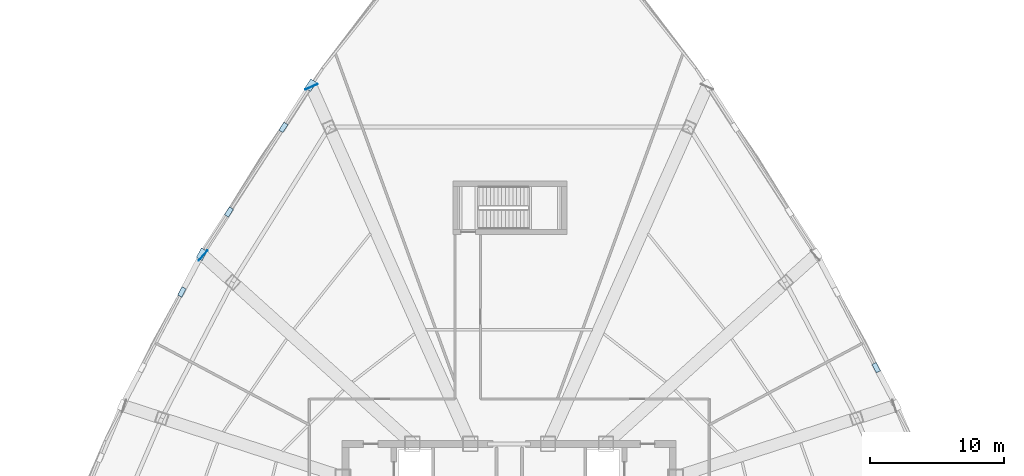
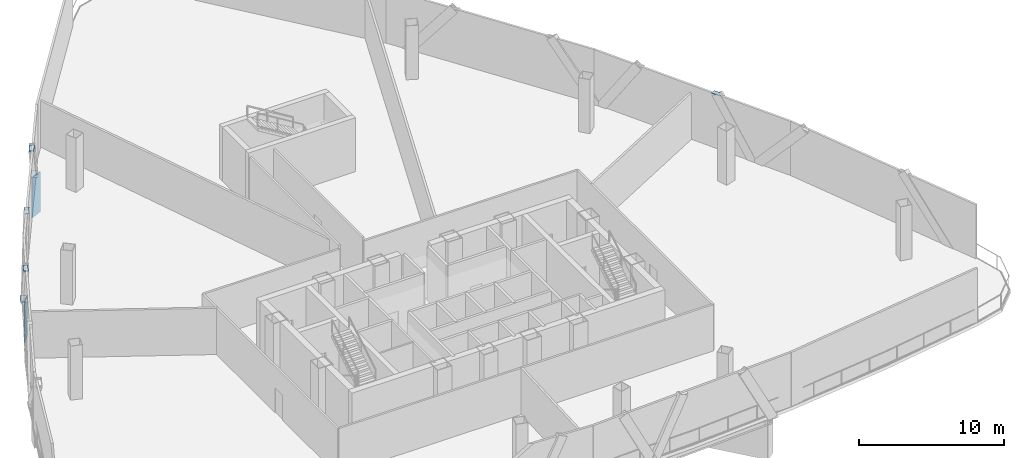
# One storey, part 4 of 14: 8 plates.
"""IFC4 building model written with IfcOpenShell, lengths in metres."""

import ifcopenshell
import ifcopenshell.guid

model = None  # the IFC model being written
_history = None  # IfcOwnerHistory: only IFC2X3 demands one
_inside = {}  # id of a spatial element -> (the spatial element, [elements in it])
_under = {}  # id of a project, library or spatial element -> (it, [spatial elements below it])
_declared = {}  # id of a project -> (the project, [libraries it declares])
_typed = {}  # id of a type object -> (the type object, [elements of that type])
_made_of = {}  # id of a material, layer set ... -> (it, [elements and type objects made of it])


def new_model(schema):
    """Start an empty IFC model of exactly this schema.

    Asked for "IFC4X3", IfcOpenShell would pick the latest addendum, in which some entities
    have other attributes; the version numbers below select the first issue.
    IFC2X3 requires an IfcOwnerHistory on every rooted entity: one is made here for all.
    """
    global model, _history
    if schema == "IFC4X3":
        model = ifcopenshell.file(schema_version=(4, 3, 0, 0))
    else:
        model = ifcopenshell.file(schema=schema)
    _inside.clear()
    _under.clear()
    _declared.clear()
    _typed.clear()
    _made_of.clear()
    _history = None
    if model.schema == "IFC2X3":
        org = make("IfcOrganization", Name="unknown")
        user = make(
            "IfcPersonAndOrganization",
            ThePerson=make("IfcPerson", FamilyName="unknown"),
            TheOrganization=org,
        )
        app = make(
            "IfcApplication",
            ApplicationDeveloper=org,
            Version="unknown",
            ApplicationFullName="unknown",
            ApplicationIdentifier="unknown",
        )
        _history = make(
            "IfcOwnerHistory",
            OwningUser=user,
            OwningApplication=app,
            ChangeAction="ADDED",
            CreationDate=0,
        )
    return model


def make(cls, **values):
    """One entity of the class cls with the attributes given. An attribute that is None is left unset."""
    return model.create_entity(
        cls, **{name: value for name, value in values.items() if value is not None}
    )


def rooted(cls, **values):
    """An entity with a GlobalId (a new one), such as an element, a storey or a relation."""
    return make(cls, GlobalId=ifcopenshell.guid.new(), OwnerHistory=_history, **values)


def si_unit(unit_type, name, prefix=None):
    """IfcSIUnit, for example si_unit("LENGTHUNIT", "METRE", prefix="MILLI")."""
    return make("IfcSIUnit", UnitType=unit_type, Prefix=prefix, Name=name)


def assignment(units):
    """IfcUnitAssignment: the units of a project."""
    return None if units is None else make("IfcUnitAssignment", Units=units)


def point(xyz):
    """IfcCartesianPoint."""
    return None if xyz is None else make("IfcCartesianPoint", Coordinates=xyz)


def direction(xyz):
    """IfcDirection."""
    return None if xyz is None else make("IfcDirection", DirectionRatios=xyz)


def frame(location, z_axis=None, x_axis=None):
    """IfcAxis2Placement3D, a coordinate frame: its origin and axes. An axis left out is left unset."""
    return make(
        "IfcAxis2Placement3D",
        Location=point(location),
        Axis=direction(z_axis),
        RefDirection=direction(x_axis),
    )


def frame_2d(location, x_axis=None):
    """IfcAxis2Placement2D, a coordinate frame in the plane: its origin and x axis."""
    return make(
        "IfcAxis2Placement2D", Location=point(location), RefDirection=direction(x_axis)
    )


def origin():
    """The frame at (0, 0, 0) with its axes left unset."""
    return frame((0.0, 0.0, 0.0))


def origin_2d():
    """The frame at (0, 0) in the plane with its x axis left unset."""
    return frame_2d((0.0, 0.0))


def place(relative_to, where):
    """IfcLocalPlacement: puts the frame where relative to a parent placement (None: the world)."""
    return make(
        "IfcLocalPlacement", PlacementRelTo=relative_to, RelativePlacement=where
    )


def context(
    kind, dimensions, precision=None, world=None, true_north=None, identifier=None
):
    """IfcGeometricRepresentationContext, for example the 3D "Model" context."""
    return make(
        "IfcGeometricRepresentationContext",
        ContextIdentifier=identifier,
        ContextType=kind,
        CoordinateSpaceDimension=dimensions,
        Precision=precision,
        WorldCoordinateSystem=world,
        TrueNorth=true_north,
    )


def subcontext(parent, identifier, kind, view, scale=None):
    """IfcGeometricRepresentationSubContext, for example "Body" below "Model"."""
    return make(
        "IfcGeometricRepresentationSubContext",
        ContextIdentifier=identifier,
        ContextType=kind,
        ParentContext=parent,
        TargetScale=scale,
        TargetView=view,
    )


def project(units=None, contexts=None):
    """IfcProject with its units and contexts."""
    return rooted(
        "IfcProject",
        Name="project",
        RepresentationContexts=contexts,
        UnitsInContext=assignment(units),
    )


def spatial(cls, under=None, at=None, **own):
    """A site, building, storey or space (cls), placed at a placement, below another one or the project."""
    s = rooted(cls, ObjectPlacement=at, **own)
    if under is not None:
        _under.setdefault(under.id(), (under, []))[1].append(s)
    return s


def profile(cls, at=None, kind="AREA", **sizes):
    """A parametric profile (cls). Its sizes go by their IFC names, for example OverallWidth=200.0."""
    return make(cls, ProfileType=kind, Position=at, **sizes)


def rectangle(**sizes):
    """IfcRectangleProfileDef."""
    return profile("IfcRectangleProfileDef", **sizes)


def extrude(swept, where, along, depth):
    """IfcExtrudedAreaSolid: the profile swept, set in the frame where, extruded along a direction by depth."""
    return make(
        "IfcExtrudedAreaSolid",
        SweptArea=swept,
        Position=where,
        ExtrudedDirection=direction(along),
        Depth=depth,
    )


def shape(context_of_items, identifier, shape_type, items):
    """IfcShapeRepresentation: the items that make up one representation, for example the "Body"."""
    return make(
        "IfcShapeRepresentation",
        ContextOfItems=context_of_items,
        RepresentationIdentifier=identifier,
        RepresentationType=shape_type,
        Items=items,
    )


def source(mapping_origin, context_of_items, identifier, shape_type, items):
    """IfcRepresentationMap: a shape defined once, which mapped items show again and again."""
    return make(
        "IfcRepresentationMap",
        MappingOrigin=mapping_origin,
        MappedRepresentation=shape(context_of_items, identifier, shape_type, items),
    )


def transform(
    local_origin,
    x_axis=None,
    y_axis=None,
    z_axis=None,
    scale=None,
    scale2=None,
    scale3=None,
    uniform=True,
):
    """IfcCartesianTransformationOperator3D, or its non-uniform kind. x_axis, y_axis, z_axis: its Axis1, 2, 3."""
    if uniform:
        return make(
            "IfcCartesianTransformationOperator3D",
            Axis1=direction(x_axis),
            Axis2=direction(y_axis),
            LocalOrigin=point(local_origin),
            Scale=scale,
            Axis3=direction(z_axis),
        )
    return make(
        "IfcCartesianTransformationOperator3DnonUniform",
        Axis1=direction(x_axis),
        Axis2=direction(y_axis),
        LocalOrigin=point(local_origin),
        Scale=scale,
        Axis3=direction(z_axis),
        Scale2=scale2,
        Scale3=scale3,
    )


def mapped(mapping_source, mapping_target):
    """IfcMappedItem: shows the shape of a source again, moved by a transform."""
    return make(
        "IfcMappedItem", MappingSource=mapping_source, MappingTarget=mapping_target
    )


def material(Name=None, Category=None):
    """IfcMaterial."""
    return make("IfcMaterial", Name=Name, Category=Category)


def layer(
    of_material, thickness, ventilated=None, Name=None, Category=None, Priority=None
):
    """IfcMaterialLayer: one layer of a wall or slab, of a material (None: an air gap)."""
    return make(
        "IfcMaterialLayer",
        Material=of_material,
        LayerThickness=thickness,
        IsVentilated=ventilated,
        Name=Name,
        Category=Category,
        Priority=Priority,
    )


def layer_set(layers, Name=None):
    """IfcMaterialLayerSet."""
    return make("IfcMaterialLayerSet", MaterialLayers=layers, LayerSetName=Name)


def made_of(thing, what):
    """Note that an element or type object is made of a material, layer set ...; save() writes the relation."""
    if what is not None:
        _made_of.setdefault(what.id(), (what, []))[1].append(thing)
    return thing


def type_object(cls, material=None, **own):
    """A type object (cls), such as IfcWallType, which elements share."""
    return made_of(rooted(cls, **own), material)


def element(
    cls,
    number,
    at=None,
    inside=None,
    cuts=None,
    type_object=None,
    material=None,
    context=None,
    identifier="Body",
    shape_type=None,
    held_by="IfcProductDefinitionShape",
    body=None,
    shapes=None,
    **own,
):
    """One element of the class cls, such as IfcWall. Its Tag is "e" and its number.

    at: its placement. inside: the storey or other place that contains it. cuts: it is an
    opening in that element (IfcRelVoidsElement). A single representation is given by context,
    identifier, shape_type and body (its items); several are given by shapes. held_by: the class
    of the entity that holds the representations. save() writes the other relations.
    """
    e = rooted(cls, Tag="e%d" % number, ObjectPlacement=at, **own)
    if body is not None:
        shapes = [shape(context, identifier, shape_type, body)]
    if shapes is not None:
        e.Representation = make(held_by, Representations=shapes)
    if inside is not None:
        _inside.setdefault(inside.id(), (inside, []))[1].append(e)
    if cuts is not None:
        rooted(
            "IfcRelVoidsElement", RelatingBuildingElement=cuts, RelatedOpeningElement=e
        )
    if type_object is not None:
        _typed.setdefault(type_object.id(), (type_object, []))[1].append(e)
    return made_of(e, material)


def aggregate(whole, parts):
    """IfcRelAggregates: a whole, such as a stair, and the parts it consists of."""
    return rooted("IfcRelAggregates", RelatingObject=whole, RelatedObjects=parts)


def save(model, path):
    """Write the relations noted so far, then the file.

    IfcRelAggregates (storeys below a building ...), IfcRelContainedInSpatialStructure (elements
    in a storey), IfcRelDefinesByType, IfcRelAssociatesMaterial and IfcRelDeclares: one each for
    every whole, place, type object, material and project.
    """
    for whole, parts in _under.values():
        aggregate(whole, parts)
    for where, things in _inside.values():
        rooted(
            "IfcRelContainedInSpatialStructure",
            RelatedElements=things,
            RelatingStructure=where,
        )
    for kind, things in _typed.values():
        rooted("IfcRelDefinesByType", RelatedObjects=things, RelatingType=kind)
    for what, things in _made_of.values():
        rooted("IfcRelAssociatesMaterial", RelatedObjects=things, RelatingMaterial=what)
    for by, libraries in _declared.values():
        rooted("IfcRelDeclares", RelatingContext=by, RelatedDefinitions=libraries)
    model.write(path)


model = new_model("IFC4")

# Units and contexts
model_context = context("Model", 3, precision=1e-05, world=origin(), true_north=direction((0.0, 1.0)))
body_context = subcontext(model_context, "Body", "Model", "MODEL_VIEW")
ifc_project = project(units=[si_unit("LENGTHUNIT", "METRE"), si_unit("AREAUNIT", "SQUARE_METRE"), si_unit("VOLUMEUNIT", "CUBIC_METRE"), si_unit("PLANEANGLEUNIT", "RADIAN"), si_unit("MASSUNIT", "GRAM", prefix="KILO"), si_unit("THERMODYNAMICTEMPERATUREUNIT", "KELVIN"), si_unit("POWERUNIT", "WATT")], contexts=[model_context])

# Site, building, storey
site_placement = place(None, origin())
site = spatial("IfcSite", under=ifc_project, at=site_placement, CompositionType="ELEMENT")
building_placement = place(site_placement, origin())
building = spatial("IfcBuilding", under=site, at=building_placement, Name="Yunzhuo Pagoda Commons", CompositionType="ELEMENT")
storey_placement = place(building_placement, frame((0.0, 0.0, 224.81005859375)))
storey = spatial("IfcBuildingStorey", under=building, at=storey_placement, Name="L56", CompositionType="ELEMENT", Elevation=224.81005859375)

# Plates
ifc_material_1 = material(Name="Structural steel Q420B", Category="steel")
ifc_layer_1 = layer(ifc_material_1, 0.0400390625)
ifc_layer_set_1 = layer_set([ifc_layer_1], Name="Structural steel Q420B")
plate_type_1 = type_object("IfcPlateType", Name="EP-TR2 Transfer Girder End Cap Plate 980x3540x40", PredefinedType="USERDEFINED", material=ifc_layer_set_1)
shared_shape_1 = source(origin(), body_context, "Body", "SweptSolid", [
    extrude(rectangle(XDim=0.97998046875, YDim=0.0400390625, at=origin_2d()), origin(), (0.0, 0.0, 1.0), 3.389892578125),
])
for number, where, z_axis, x_axis, name in (
    (1, (33.252685546875, 66.822998046875, -3.64990234375), (0.0, 0.0, 1.0), (-0.913545457643, -0.406736643076, 0.0), "L56 transfer girder end cap plate F3C1"),
    (2, (25.180419921875, 54.246826171875, -3.64990234375), (0.0, 0.0, 1.0), (-0.669130606359, -0.743144825477, 0.0), "L56 transfer girder end cap plate F3C2"),
):
    element("IfcPlate", number, at=place(storey_placement, frame(where, z_axis=z_axis, x_axis=x_axis)), inside=storey, type_object=plate_type_1, Name=name, ObjectType="END_PLATE", PredefinedType="USERDEFINED", context=body_context, shape_type="MappedRepresentation", body=[
        mapped(shared_shape_1, transform((0.0, 0.0, 0.0), scale=1.0)),
    ])
ifc_material_2 = material(Name="Structural steel Q355B", Category="steel")
ifc_layer_2 = layer(ifc_material_2, 0.028076171875)
ifc_layer_set_2 = layer_set([ifc_layer_2], Name="Structural steel Q355B")
plate_type_2 = type_object("IfcPlateType", Name="SP-ND1 Lattice Node Cap Plate 800x500x28", PredefinedType="USERDEFINED", material=ifc_layer_set_2)
shared_shape_2 = source(origin(), body_context, "Body", "SweptSolid", [
    extrude(rectangle(XDim=0.800048828125, YDim=0.5, at=origin_2d()), origin(), (0.0, 0.0, 1.0), 0.028076171875),
])
for number, where, z_axis, x_axis, name in (
    (3, (33.197021484375, 66.947998046875, -0.2939453125), (0.0, 0.0, 1.0), (-0.541341392357, -0.840802888269, 0.0), "L56 diamond node plate F3.1A"),
    (4, (25.07861328125, 54.33837890625, -0.2939453125), (0.0, 0.0, 1.0), (-0.465336470286, -0.885133870904, 0.0), "L56 diamond node plate F3.2A"),
):
    element("IfcPlate", number, at=place(storey_placement, frame(where, z_axis=z_axis, x_axis=x_axis)), inside=storey, type_object=plate_type_2, Name=name, ObjectType="STIFFENER_PLATE", PredefinedType="USERDEFINED", context=body_context, shape_type="MappedRepresentation", body=[
        mapped(shared_shape_2, transform((0.0, 0.0, 0.0), scale=1.0)),
    ])
shared_shape_3 = source(origin(), body_context, "Body", "SweptSolid", [
    extrude(rectangle(XDim=0.699951171875, YDim=0.35009765625, at=origin_2d()), origin(), (0.0, 0.0, 1.0), 0.035888671875),
])
for number, where, z_axis, x_axis, name in (
    (5, (75.363525390625, 45.888671875, 4.501953125), (0.0, 0.0, 1.0), (-0.465336470286, 0.885133870904, 0.0), "L56 setback lattice tie plate F2.2L"),
    (6, (31.16748046875, 63.795654296875, 4.501953125), (0.0, 0.0, 1.0), (-0.541341392357, -0.840802888269, 0.0), "L56 setback lattice tie plate F3.1L"),
    (7, (27.108154296875, 57.490966796875, 4.501953125), (0.0, 0.0, 1.0), (-0.541341392357, -0.840802888269, 0.0), "L56 setback lattice tie plate F3.1R"),
    (8, (23.597900390625, 51.52197265625, 4.501953125), (0.0, 0.0, 1.0), (-0.465336470286, -0.885133870904, 0.0), "L56 setback lattice tie plate F3.2L"),
):
    element("IfcPlate", number, at=place(storey_placement, frame(where, z_axis=z_axis, x_axis=x_axis)), inside=storey, type_object=plate_type_2, Name=name, ObjectType="STIFFENER_PLATE", PredefinedType="USERDEFINED", context=body_context, shape_type="MappedRepresentation", body=[
        mapped(shared_shape_3, transform((0.0, 0.0, 0.0), scale=1.0)),
    ])

save(model, "model.ifc")
